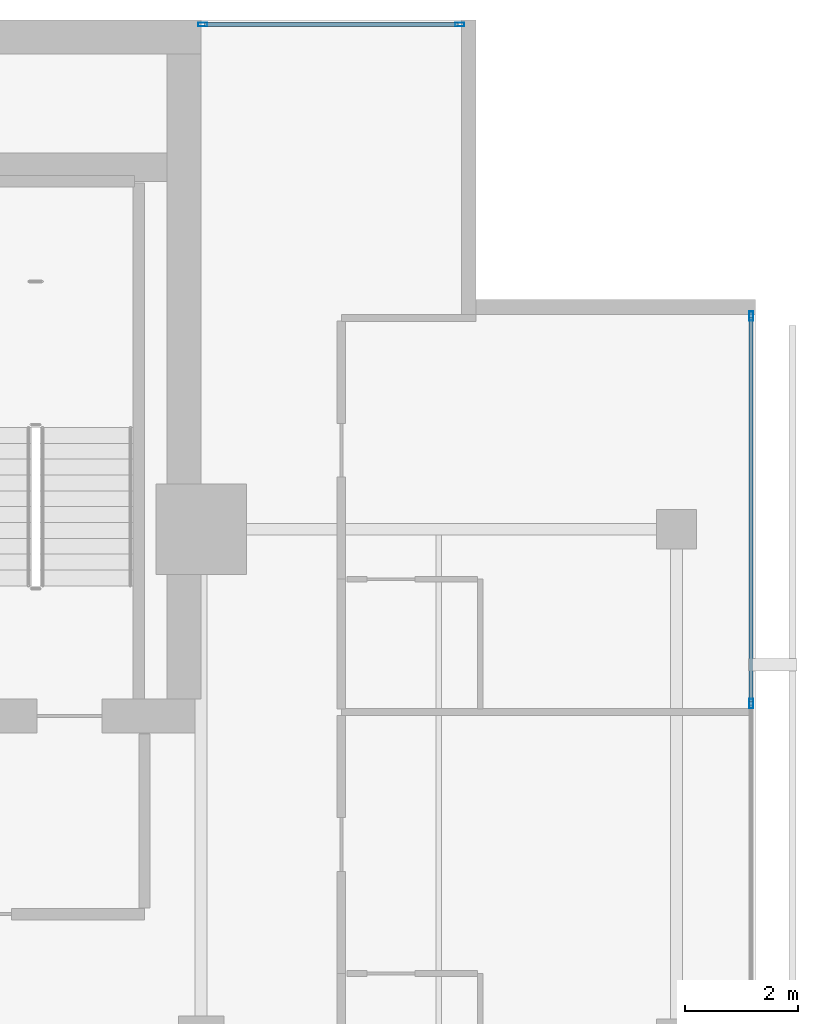
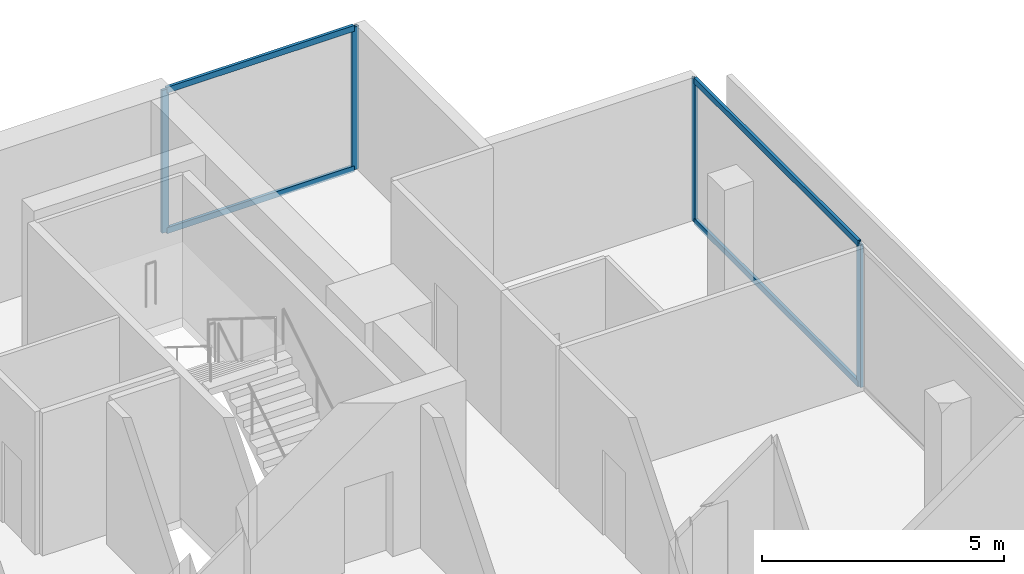
# One storey, part 18 of 25: 8 members, 2 elements without a shape of their own.
"""IFC4 building model written with IfcOpenShell, lengths in metres."""

from ifc_helpers import new_model, si_unit, direction, frame, origin, origin_2d, place, context, subcontext, project, spatial, hollow_rectangle, extrude, material, layer, layer_set, material_profile, profile_set, type_object, element, aggregate, save


model = new_model("IFC4")

# Units and contexts
model_context = context("Model", 3, precision=1e-05, world=origin(), true_north=direction((0.0, 1.0)))
body_context = subcontext(model_context, "Body", "Model", "MODEL_VIEW")
ifc_project = project(units=[si_unit("LENGTHUNIT", "METRE"), si_unit("AREAUNIT", "SQUARE_METRE"), si_unit("VOLUMEUNIT", "CUBIC_METRE"), si_unit("PLANEANGLEUNIT", "RADIAN"), si_unit("MASSUNIT", "GRAM", prefix="KILO")], contexts=[model_context])

# Site, building, storey
site_placement = place(None, origin())
site = spatial("IfcSite", under=ifc_project, at=site_placement, CompositionType="ELEMENT")
building_placement = place(site_placement, origin())
building = spatial("IfcBuilding", under=site, at=building_placement, Name="Maruvema Waterfront Hotel and Observation Tower", CompositionType="ELEMENT")
storey_placement = place(building_placement, frame((0.0, 0.0, 247.10009765625)))
storey = spatial("IfcBuildingStorey", under=building, at=storey_placement, Name="L60", CompositionType="ELEMENT", Elevation=247.10009765625)

# Curtain wall, members
ifc_material_1 = material(Name="Anodised bronze aluminium and solar-control low-E IGU", Category="aluminium")
ifc_layer = layer(ifc_material_1, 0.159912109375, Name="Zone 3 Champagne Inner Thermal Curtain Wall System CW-04")
ifc_layer_set = layer_set([ifc_layer], Name="Anodised bronze aluminium and solar-control low-E IGU")
curtain_wall_type = type_object("IfcCurtainWallType", Name="Zone 3 Champagne Inner Thermal Curtain Wall System CW-04", PredefinedType="USERDEFINED", material=ifc_layer_set)
curtain_wall_1_placement = place(storey_placement, origin())
curtain_wall_1 = element("IfcCurtainWall", 1, at=curtain_wall_1_placement, inside=storey, type_object=curtain_wall_type, Name="L60 Curtain Wall CW-L60-E", ObjectType="UNITISED CURTAIN WALL", PredefinedType="USERDEFINED")
ifc_material_2 = material(Name="Anodised architectural bronze aluminium", Category="aluminium")
ifc_material_profile_1 = material_profile(ifc_material_2, hollow_rectangle(XDim=0.070068359375, YDim=0.14990234375, WallThickness=0.00390625, at=origin_2d()), Name="ALU-T70x150")
ifc_profile_set_1 = profile_set([ifc_material_profile_1], Name="Anodised architectural bronze aluminium")
member_type_1 = type_object("IfcMemberType", Name="Curtain Wall Horizontal Transom ALU-T70x150", PredefinedType="USERDEFINED", material=ifc_profile_set_1)
member_1_placement = place(storey_placement, frame((60.1201171875, 41.949951171875, 0.02978515625), z_axis=(0.0, 1.0, 0.0), x_axis=(-1.0, 0.0, 0.0)))
member_1 = element("IfcMember", 2, at=member_1_placement, type_object=member_type_1, Name="CW-04 transom 5.1", ObjectType="TRANSOM", PredefinedType="USERDEFINED", context=body_context, shape_type="SweptSolid", body=[
    extrude(hollow_rectangle(XDim=0.070068359375, YDim=0.14990234375, WallThickness=0.00390625, at=origin_2d()), origin(), (0.0, 0.0, 1.0), 6.7900390625),
])
member_2_placement = place(storey_placement, frame((60.1201171875, 41.949951171875, 3.579833984375), z_axis=(0.0, 1.0, 0.0), x_axis=(-1.0, 0.0, 0.0)))
member_2 = element("IfcMember", 3, at=member_2_placement, type_object=member_type_1, Name="CW-04 transom 5.2", ObjectType="TRANSOM", PredefinedType="USERDEFINED", context=body_context, shape_type="SweptSolid", body=[
    extrude(hollow_rectangle(XDim=0.070068359375, YDim=0.14990234375, WallThickness=0.00390625, at=origin_2d()), origin(), (0.0, 0.0, 1.0), 6.7900390625),
])

curtain_wall_2_placement = place(storey_placement, origin())
curtain_wall_2 = element("IfcCurtainWall", 4, at=curtain_wall_2_placement, inside=storey, type_object=curtain_wall_type, Name="L60 Curtain Wall CW-L60-NE", ObjectType="UNITISED CURTAIN WALL", PredefinedType="USERDEFINED")
member_3_placement = place(storey_placement, frame((54.93994140625, 53.919921875, 0.02978515625), z_axis=(-1.0, 0.0, 0.0), x_axis=(0.0, -1.0, 0.0)))
member_3 = element("IfcMember", 5, at=member_3_placement, type_object=member_type_1, Name="CW-04 transom 1.1", ObjectType="TRANSOM", PredefinedType="USERDEFINED", context=body_context, shape_type="SweptSolid", body=[
    extrude(hollow_rectangle(XDim=0.070068359375, YDim=0.14990234375, WallThickness=0.00390625, at=origin_2d()), origin(), (0.0, 0.0, 1.0), 4.47998046875),
])
member_4_placement = place(storey_placement, frame((54.93994140625, 53.919921875, 3.579833984375), z_axis=(-1.0, 0.0, 0.0), x_axis=(0.0, -1.0, 0.0)))
member_4 = element("IfcMember", 6, at=member_4_placement, type_object=member_type_1, Name="CW-04 transom 1.2", ObjectType="TRANSOM", PredefinedType="USERDEFINED", context=body_context, shape_type="SweptSolid", body=[
    extrude(hollow_rectangle(XDim=0.070068359375, YDim=0.14990234375, WallThickness=0.00390625, at=origin_2d()), origin(), (0.0, 0.0, 1.0), 4.47998046875),
])

# Member
ifc_material_3 = material(Name="Anodised architectural bronze aluminium", Category="aluminium")
ifc_material_profile_2 = material_profile(ifc_material_3, hollow_rectangle(XDim=0.06494140625, YDim=0.1650390625, WallThickness=0.00390625, at=origin_2d()), Name="ALU-M65x165")
ifc_profile_set_2 = profile_set([ifc_material_profile_2], Name="Anodised architectural bronze aluminium")
member_type_2 = type_object("IfcMemberType", Name="Curtain Wall Primary Mullion ALU-M65x165", PredefinedType="MULLION", material=ifc_profile_set_2)
member_5_placement = place(storey_placement, frame((60.1201171875, 41.919921875, 0.0), z_axis=(0.0, 0.0, 1.0), x_axis=(-1.0, 0.0, 0.0)))
member_5 = element("IfcMember", 7, at=member_5_placement, type_object=member_type_2, Name="CW-04 mullion 5", PredefinedType="MULLION", context=body_context, shape_type="SweptSolid", body=[
    extrude(hollow_rectangle(XDim=0.06494140625, YDim=0.1650390625, WallThickness=0.00390625, at=origin_2d()), origin(), (0.0, 0.0, 1.0), 3.60986328125),
])

member_6_placement = place(storey_placement, frame((60.1201171875, 48.77001953125, 0.0), z_axis=(0.0, 0.0, 1.0), x_axis=(-1.0, 0.0, 0.0)))
member_6 = element("IfcMember", 8, at=member_6_placement, type_object=member_type_2, Name="CW-04 mullion 6", PredefinedType="MULLION", context=body_context, shape_type="SweptSolid", body=[
    extrude(hollow_rectangle(XDim=0.06494140625, YDim=0.1650390625, WallThickness=0.00390625, at=origin_2d()), origin(), (0.0, 0.0, 1.0), 3.60986328125),
])

aggregate(curtain_wall_1, [member_5, member_6, member_1, member_2])

member_7_placement = place(storey_placement, frame((54.969970703125, 53.919921875, 0.0), z_axis=(0.0, 0.0, 1.0), x_axis=(0.0, -1.0, 0.0)))
member_7 = element("IfcMember", 9, at=member_7_placement, type_object=member_type_2, Name="CW-04 mullion 1", PredefinedType="MULLION", context=body_context, shape_type="SweptSolid", body=[
    extrude(hollow_rectangle(XDim=0.06494140625, YDim=0.1650390625, WallThickness=0.00390625, at=origin_2d()), origin(), (0.0, 0.0, 1.0), 3.60986328125),
])

member_8_placement = place(storey_placement, frame((50.429931640625, 53.919921875, 0.0), z_axis=(0.0, 0.0, 1.0), x_axis=(0.0, -1.0, 0.0)))
member_8 = element("IfcMember", 10, at=member_8_placement, type_object=member_type_2, Name="CW-04 mullion 2", PredefinedType="MULLION", context=body_context, shape_type="SweptSolid", body=[
    extrude(hollow_rectangle(XDim=0.06494140625, YDim=0.1650390625, WallThickness=0.00390625, at=origin_2d()), origin(), (0.0, 0.0, 1.0), 3.60986328125),
])

aggregate(curtain_wall_2, [member_7, member_8, member_3, member_4])

save(model, "model.ifc")
